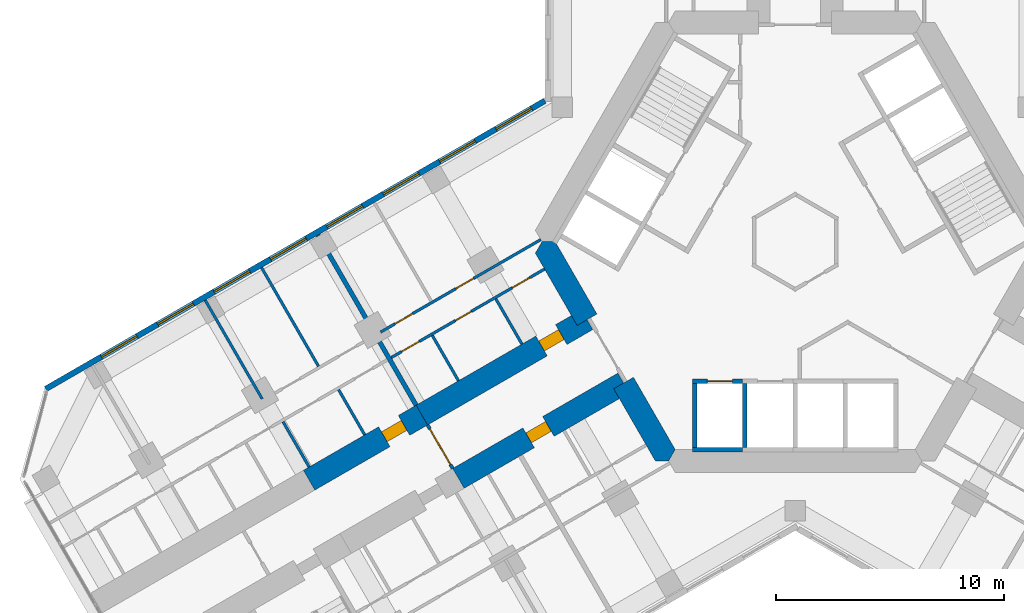
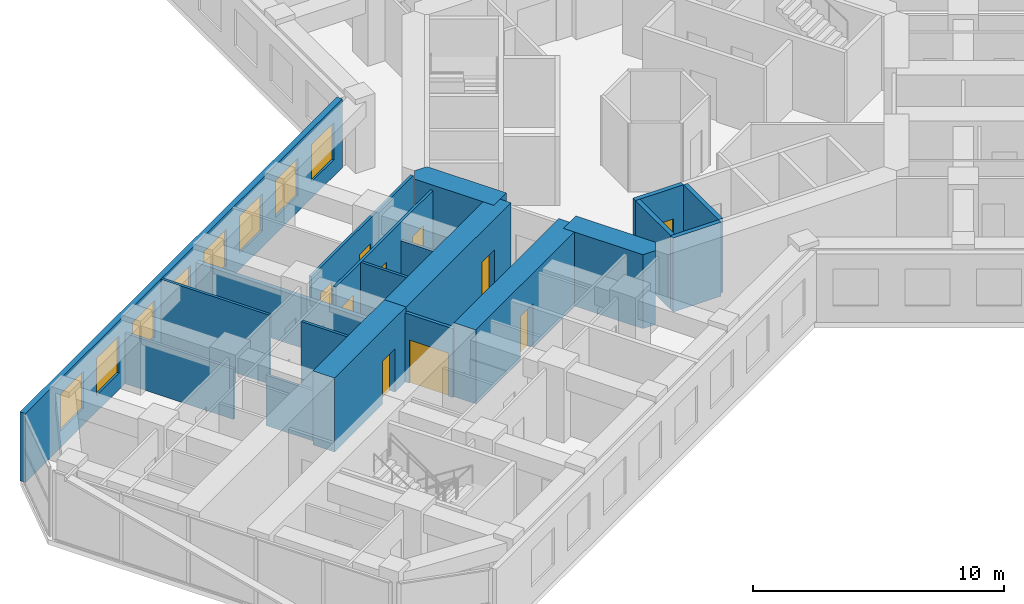
# One storey, part 12 of 21: 20 walls, 10 doors, 8 windows, 18 openings.
"""IFC4 building model written with IfcOpenShell, lengths in metres."""

from ifc_helpers import new_model, si_unit, direction, frame, frame_2d, origin, place, context, subcontext, project, spatial, polyline, rectangle, outline, extrude, material, layer, layer_set, type_object, element, fill, save


model = new_model("IFC4")

# Units and contexts
model_context = context("Model", 3, precision=1e-05, world=origin(), true_north=direction((0.0, 1.0)))
body_context = subcontext(model_context, "Body", "Model", "MODEL_VIEW")
ifc_project = project(units=[si_unit("LENGTHUNIT", "METRE"), si_unit("AREAUNIT", "SQUARE_METRE"), si_unit("VOLUMEUNIT", "CUBIC_METRE"), si_unit("PLANEANGLEUNIT", "RADIAN"), si_unit("MASSUNIT", "GRAM", prefix="KILO")], contexts=[model_context])

# Site, building, storey
site_placement = place(None, origin())
site = spatial("IfcSite", under=ifc_project, at=site_placement, CompositionType="ELEMENT")
building_placement = place(site_placement, origin())
building = spatial("IfcBuilding", under=site, at=building_placement, Name="Kosmar Iwan School Tower", CompositionType="ELEMENT")
storey_placement = place(building_placement, frame((0.0, 0.0, 80.800048828125)))
storey = spatial("IfcBuildingStorey", under=building, at=storey_placement, Name="L19", CompositionType="ELEMENT", Elevation=80.800048828125)

# Walls
ifc_material_1 = material(Name="Concrete C50/60", Category="concrete")
ifc_layer_1 = layer(ifc_material_1, 1.0)
ifc_layer_set_1 = layer_set([ifc_layer_1], Name="Core wall 1000")
wall_type_1 = type_object("IfcWallType", Name="Core wall 1000", PredefinedType="SHEAR", material=ifc_layer_set_1)
wall_1_placement = place(storey_placement, origin())
element("IfcWall", 1, at=wall_1_placement, inside=storey, type_object=wall_type_1, Name="Core wall F210a", PredefinedType="SHEAR", context=body_context, shape_type="SweptSolid", body=[
    extrude(outline(polyline([(-9.546875, -3.664306640625), (-8.680908203125, -3.164306640625), (-10.5078125, 0.0), (-11.085205078125, 0.0), (-11.373779296875, -0.5), (-9.546875, -3.664306640625)])), origin(), (0.0, 0.0, 1.0), 3.599853515625),
])
wall_2_placement = place(storey_placement, origin())
element("IfcWall", 2, at=wall_2_placement, inside=storey, type_object=wall_type_1, Name="Core wall F210b", PredefinedType="SHEAR", context=body_context, shape_type="SweptSolid", body=[
    extrude(outline(polyline([(-6.119873046875, -9.60009765625), (-5.54248046875, -9.60009765625), (-5.25390625, -9.10009765625), (-7.080810546875, -5.935546875), (-7.94677734375, -6.435546875), (-6.119873046875, -9.60009765625)])), origin(), (0.0, 0.0, 1.0), 3.599853515625),
])

# Wall, opening, door
ifc_material_2 = material(Name="Concrete C50/60", Category="concrete")
ifc_layer_2 = layer(ifc_material_2, 1.0)
ifc_layer_set_2 = layer_set([ifc_layer_2], Name="Corridor buttress wall 1000")
wall_type_2 = type_object("IfcWallType", Name="Corridor buttress wall 1000", PredefinedType="SHEAR", material=ifc_layer_set_2)
wall_3_placement = place(storey_placement, frame((-7.513916015625, -6.185546875, 0.0), z_axis=(0.0, 0.0, 1.0), x_axis=(-0.866019549707, -0.500010139422, 0.0)))
wall_3 = element("IfcWall", 3, at=wall_3_placement, inside=storey, type_object=wall_type_2, Name="Corridor wall BL", PredefinedType="SHEAR", context=body_context, shape_type="SweptSolid", body=[
    extrude(rectangle(XDim=8.349853515625, YDim=1.0, at=frame_2d((4.1748046875, 0.0))), origin(), (0.0, 0.0, 1.0), 3.599853515625),
])
opening_1_placement = place(wall_3_placement, frame((3.800048828125, 0.0, 0.0)))
opening_1 = element("IfcOpeningElement", 4, at=opening_1_placement, cuts=wall_3, Name="Opening D1", PredefinedType="OPENING", context=body_context, shape_type="SweptSolid", body=[
    extrude(rectangle(XDim=1.0, YDim=2.10009765625, at=frame_2d((0.5, 1.050048828125))), frame((0.0, 0.511962890625, 0.0), z_axis=(0.0, -1.0, 0.0), x_axis=(1.0, 0.0, 0.0)), (0.0, 0.0, 1.0), 1.02392578125),
])
ifc_material_3 = material(Name="Timber fire door in steel frame", Category="steel")
door_type_1 = type_object("IfcDoorType", Name="Flat entrance door 1000x2100", OperationType="SINGLE_SWING_LEFT", PredefinedType="DOOR", material=ifc_material_3)
door_1_placement = place(opening_1_placement, origin())
door_1 = element("IfcDoor", 5, at=door_1_placement, inside=storey, type_object=door_type_1, Name="Flat L19-BL1 entrance door", OperationType="SINGLE_SWING_LEFT", OverallHeight=2.10009765625, OverallWidth=1.0, PredefinedType="DOOR", context=body_context, shape_type="SweptSolid", body=[
    extrude(rectangle(XDim=1.0, YDim=2.10009765625, at=frame_2d((0.5, 1.050048828125))), frame((0.0, 0.25, 0.0), z_axis=(0.0, -1.0, 0.0), x_axis=(1.0, 0.0, 0.0)), (0.0, 0.0, 1.0), 0.5),
])
fill(opening_1, door_1)

wall_4_placement = place(storey_placement, frame((-9.11376953125, -3.414306640625, 0.0), z_axis=(0.0, 0.0, 1.0), x_axis=(-0.866026859388, -0.499997478812, 0.0)))
wall_4 = element("IfcWall", 6, at=wall_4_placement, inside=storey, type_object=wall_type_2, Name="Corridor wall BR", PredefinedType="SHEAR", context=body_context, shape_type="SweptSolid", body=[
    extrude(rectangle(XDim=8.35009765625, YDim=1.0, at=frame_2d((4.175048828125, 0.0))), origin(), (0.0, 0.0, 1.0), 3.599853515625),
])
opening_2_placement = place(wall_4_placement, frame((1.300048828125, 0.0, 0.0)))
opening_2 = element("IfcOpeningElement", 7, at=opening_2_placement, cuts=wall_4, Name="Opening D1", PredefinedType="OPENING", context=body_context, shape_type="SweptSolid", body=[
    extrude(rectangle(XDim=1.0, YDim=2.10009765625, at=frame_2d((0.5, 1.050048828125))), frame((0.0, 0.511962890625, 0.0), z_axis=(0.0, -1.0, 0.0), x_axis=(1.0, 0.0, 0.0)), (0.0, 0.0, 1.0), 1.02392578125),
])
door_2_placement = place(opening_2_placement, origin())
door_2 = element("IfcDoor", 8, at=door_2_placement, inside=storey, type_object=door_type_1, Name="Flat L19-BR1 entrance door", OperationType="SINGLE_SWING_LEFT", OverallHeight=2.10009765625, OverallWidth=1.0, PredefinedType="DOOR", context=body_context, shape_type="SweptSolid", body=[
    extrude(rectangle(XDim=1.0, YDim=2.10009765625, at=frame_2d((0.5, 1.050048828125))), frame((0.0, 0.25, 0.0), z_axis=(0.0, -1.0, 0.0), x_axis=(1.0, 0.0, 0.0)), (0.0, 0.0, 1.0), 0.5),
])
fill(opening_2, door_2)

wall_5_placement = place(storey_placement, frame((-16.34521484375, -7.58935546875, 0.0), z_axis=(0.0, 0.0, 1.0), x_axis=(-0.866015111908, -0.50001782563, 0.0)))
wall_5 = element("IfcWall", 9, at=wall_5_placement, inside=storey, type_object=wall_type_2, Name="Corridor wall BR bay 2", PredefinedType="SHEAR", context=body_context, shape_type="SweptSolid", body=[
    extrude(rectangle(XDim=5.699951171875, YDim=1.0, at=frame_2d((2.85009765625, 0.0))), origin(), (0.0, 0.0, 1.0), 3.599853515625),
])
opening_3_placement = place(wall_5_placement, frame((0.89990234375, 0.0, 0.0)))
opening_3 = element("IfcOpeningElement", 10, at=opening_3_placement, cuts=wall_5, Name="Opening D1", PredefinedType="OPENING", context=body_context, shape_type="SweptSolid", body=[
    extrude(rectangle(XDim=1.0, YDim=2.10009765625, at=frame_2d((0.5, 1.050048828125))), frame((0.0, 0.511962890625, 0.0), z_axis=(0.0, -1.0, 0.0), x_axis=(1.0, 0.0, 0.0)), (0.0, 0.0, 1.0), 1.02392578125),
])
door_3_placement = place(opening_3_placement, origin())
door_3 = element("IfcDoor", 11, at=door_3_placement, inside=storey, type_object=door_type_1, Name="Flat L19-BR2 entrance door", OperationType="SINGLE_SWING_LEFT", OverallHeight=2.10009765625, OverallWidth=1.0, PredefinedType="DOOR", context=body_context, shape_type="SweptSolid", body=[
    extrude(rectangle(XDim=1.0, YDim=2.10009765625, at=frame_2d((0.5, 1.050048828125))), frame((0.0, 0.25, 0.0), z_axis=(0.0, -1.0, 0.0), x_axis=(1.0, 0.0, 0.0)), (0.0, 0.0, 1.0), 0.5),
])
fill(opening_3, door_3)

ifc_material_4 = material(Name="Gypsum board on steel studs, fire-rated", Category="steel")
ifc_layer_3 = layer(ifc_material_4, 0.14990234375)
ifc_layer_set_3 = layer_set([ifc_layer_3], Name="Corridor end wall 150")
wall_type_3 = type_object("IfcWallType", Name="Corridor end wall 150", PredefinedType="PARTITIONING", material=ifc_layer_set_3)
wall_6_placement = place(storey_placement, frame((-16.09521484375, -8.0224609375, 0.0), z_axis=(0.0, 0.0, 1.0), x_axis=(0.50002983664, -0.866008176907, 0.0)))
wall_6 = element("IfcWall", 12, at=wall_6_placement, inside=storey, type_object=wall_type_3, Name="Partition L19-B-HW", PredefinedType="PARTITIONING", context=body_context, shape_type="SweptSolid", body=[
    extrude(rectangle(XDim=2.199951171875, YDim=0.14990234375, at=frame_2d((1.10009765625, 0.0))), origin(), (0.0, 0.0, 1.0), 3.349853515625),
])
opening_4_placement = place(wall_6_placement, frame((0.199951171875, 0.0, 0.0)))
opening_4 = element("IfcOpeningElement", 13, at=opening_4_placement, cuts=wall_6, Name="Opening D9", PredefinedType="OPENING", context=body_context, shape_type="SweptSolid", body=[
    extrude(rectangle(XDim=1.800048828125, YDim=2.10009765625, at=frame_2d((0.89990234375, 1.050048828125))), frame((0.0, 0.0869140625, 0.0), z_axis=(0.0, -1.0, 0.0), x_axis=(1.0, 0.0, 0.0)), (0.0, 0.0, 1.0), 0.173828125),
])
ifc_material_5 = material(Name="Steel framed glazed smoke door", Category="steel")
door_type_2 = type_object("IfcDoorType", Name="Corridor smoke door pair 1800x2100", OperationType="DOUBLE_DOOR_DOUBLE_SWING", PredefinedType="DOOR", material=ifc_material_5)
door_4_placement = place(opening_4_placement, origin())
door_4 = element("IfcDoor", 14, at=door_4_placement, inside=storey, type_object=door_type_2, Name="Entrance vestibule smoke doors L19-B", OperationType="DOUBLE_DOOR_DOUBLE_SWING", OverallHeight=2.10009765625, OverallWidth=1.800048828125, PredefinedType="DOOR", context=body_context, shape_type="SweptSolid", body=[
    extrude(rectangle(XDim=1.800048828125, YDim=2.10009765625, at=frame_2d((0.89990234375, 1.050048828125))), frame((0.0, 0.02490234375, 0.0), z_axis=(0.0, -1.0, 0.0), x_axis=(1.0, 0.0, 0.0)), (0.0, 0.0, 1.0), 0.050048828125),
])
fill(opening_4, door_4)

# Wall, openings, doors
ifc_material_6 = material(Name="Gypsum board on steel studs", Category="steel")
ifc_layer_4 = layer(ifc_material_6, 0.1201171875)
ifc_layer_set_4 = layer_set([ifc_layer_4], Name="Dwelling partition 120")
wall_type_4 = type_object("IfcWallType", Name="Dwelling partition 120", PredefinedType="PARTITIONING", material=ifc_layer_set_4)
wall_7_placement = place(storey_placement, frame((-10.971923828125, -1.1962890625, 0.0), z_axis=(0.0, 0.0, 1.0), x_axis=(-0.866024534185, -0.500001506187, 0.0)))
wall_7 = element("IfcWall", 15, at=wall_7_placement, inside=storey, type_object=wall_type_4, Name="Partition L19-BR1-W1", PredefinedType="PARTITIONING", context=body_context, shape_type="SweptSolid", body=[
    extrude(rectangle(XDim=7.75, YDim=0.1201171875, at=frame_2d((3.875, 0.0))), origin(), (0.0, 0.0, 1.0), 3.349853515625),
])
opening_5_placement = place(wall_7_placement, frame((0.75, 0.0, 0.0)))
opening_5 = element("IfcOpeningElement", 16, at=opening_5_placement, cuts=wall_7, Name="Opening D2", PredefinedType="OPENING", context=body_context, shape_type="SweptSolid", body=[
    extrude(rectangle(XDim=0.89990234375, YDim=2.10009765625, at=frame_2d((0.449951171875, 1.050048828125))), frame((0.0, 0.072021484375, 0.0), z_axis=(0.0, -1.0, 0.0), x_axis=(1.0, 0.0, 0.0)), (0.0, 0.0, 1.0), 0.14404296875),
])
opening_6_placement = place(wall_7_placement, frame((3.705078125, 0.0, 0.0)))
opening_6 = element("IfcOpeningElement", 17, at=opening_6_placement, cuts=wall_7, Name="Opening D3", PredefinedType="OPENING", context=body_context, shape_type="SweptSolid", body=[
    extrude(rectangle(XDim=0.800048828125, YDim=2.10009765625, at=frame_2d((0.39990234375, 1.050048828125))), frame((0.0, 0.072021484375, 0.0), z_axis=(0.0, -1.0, 0.0), x_axis=(1.0, 0.0, 0.0)), (0.0, 0.0, 1.0), 0.14404296875),
])
opening_7_placement = place(wall_7_placement, frame((6.330078125, 0.0, 0.0)))
opening_7 = element("IfcOpeningElement", 18, at=opening_7_placement, cuts=wall_7, Name="Opening D2", PredefinedType="OPENING", context=body_context, shape_type="SweptSolid", body=[
    extrude(rectangle(XDim=0.89990234375, YDim=2.10009765625, at=frame_2d((0.449951171875, 1.050048828125))), frame((0.0, 0.072021484375, 0.0), z_axis=(0.0, -1.0, 0.0), x_axis=(1.0, 0.0, 0.0)), (0.0, 0.0, 1.0), 0.14404296875),
])
ifc_material_7 = material(Name="Timber door in timber frame", Category="wood")
door_type_3 = type_object("IfcDoorType", Name="Internal door 900x2100", OperationType="SINGLE_SWING_LEFT", PredefinedType="DOOR", material=ifc_material_7)
door_5_placement = place(opening_5_placement, origin())
door_5 = element("IfcDoor", 19, at=door_5_placement, inside=storey, type_object=door_type_3, Name="Entrance hall door L19-BR1-S1", OperationType="SINGLE_SWING_RIGHT", OverallHeight=2.10009765625, OverallWidth=0.89990234375, PredefinedType="DOOR", context=body_context, shape_type="SweptSolid", body=[
    extrude(rectangle(XDim=0.89990234375, YDim=2.10009765625, at=frame_2d((0.449951171875, 1.050048828125))), frame((0.0, 0.02490234375, 0.0), z_axis=(0.0, -1.0, 0.0), x_axis=(1.0, 0.0, 0.0)), (0.0, 0.0, 1.0), 0.050048828125),
])
fill(opening_5, door_5)
door_6_placement = place(opening_7_placement, origin())
door_6 = element("IfcDoor", 20, at=door_6_placement, inside=storey, type_object=door_type_3, Name="Pantry door L19-BR1-S3", OperationType="SINGLE_SWING_RIGHT", OverallHeight=2.10009765625, OverallWidth=0.89990234375, PredefinedType="DOOR", context=body_context, shape_type="SweptSolid", body=[
    extrude(rectangle(XDim=0.89990234375, YDim=2.10009765625, at=frame_2d((0.449951171875, 1.050048828125))), frame((0.0, 0.02490234375, 0.0), z_axis=(0.0, -1.0, 0.0), x_axis=(1.0, 0.0, 0.0)), (0.0, 0.0, 1.0), 0.050048828125),
])
fill(opening_7, door_6)
ifc_material_8 = material(Name="Timber door in timber frame", Category="wood")
door_type_4 = type_object("IfcDoorType", Name="Sanitary room door 800x2100", OperationType="SINGLE_SWING_LEFT", PredefinedType="DOOR", material=ifc_material_8)
door_7_placement = place(opening_6_placement, origin())
door_7 = element("IfcDoor", 21, at=door_7_placement, inside=storey, type_object=door_type_4, Name="Bathroom door L19-BR1-S2", OperationType="SINGLE_SWING_LEFT", OverallHeight=2.10009765625, OverallWidth=0.800048828125, PredefinedType="DOOR", context=body_context, shape_type="SweptSolid", body=[
    extrude(rectangle(XDim=0.800048828125, YDim=2.10009765625, at=frame_2d((0.39990234375, 1.050048828125))), frame((0.0, 0.02490234375, 0.0), z_axis=(0.0, -1.0, 0.0), x_axis=(1.0, 0.0, 0.0)), (0.0, 0.0, 1.0), 0.050048828125),
])
fill(opening_6, door_7)

wall_8_placement = place(storey_placement, frame((-11.138916015625, 0.093017578125, 0.0), z_axis=(0.0, 0.0, 1.0), x_axis=(-0.866017937352, -0.500012932018, 0.0)))
wall_8 = element("IfcWall", 22, at=wall_8_placement, inside=storey, type_object=wall_type_4, Name="Partition L19-BR1-W2", PredefinedType="PARTITIONING", context=body_context, shape_type="SweptSolid", body=[
    extrude(rectangle(XDim=8.099853515625, YDim=0.1201171875, at=frame_2d((4.0498046875, 0.0))), origin(), (0.0, 0.0, 1.0), 3.349853515625),
])
opening_8_placement = place(wall_8_placement, frame((3.39990234375, 0.0, 0.0)))
opening_8 = element("IfcOpeningElement", 23, at=opening_8_placement, cuts=wall_8, Name="Opening D2", PredefinedType="OPENING", context=body_context, shape_type="SweptSolid", body=[
    extrude(rectangle(XDim=0.89990234375, YDim=2.10009765625, at=frame_2d((0.449951171875, 1.050048828125))), frame((0.0, 0.072021484375, 0.0), z_axis=(0.0, -1.0, 0.0), x_axis=(1.0, 0.0, 0.0)), (0.0, 0.0, 1.0), 0.14404296875),
])
opening_9_placement = place(wall_8_placement, frame((6.47509765625, 0.0, 0.0)))
opening_9 = element("IfcOpeningElement", 24, at=opening_9_placement, cuts=wall_8, Name="Opening D2", PredefinedType="OPENING", context=body_context, shape_type="SweptSolid", body=[
    extrude(rectangle(XDim=0.89990234375, YDim=2.10009765625, at=frame_2d((0.449951171875, 1.050048828125))), frame((0.0, 0.072021484375, 0.0), z_axis=(0.0, -1.0, 0.0), x_axis=(1.0, 0.0, 0.0)), (0.0, 0.0, 1.0), 0.14404296875),
])
door_8_placement = place(opening_8_placement, origin())
door_8 = element("IfcDoor", 25, at=door_8_placement, inside=storey, type_object=door_type_3, Name="Living room and kitchen door L19-BR1-F1", OperationType="SINGLE_SWING_LEFT", OverallHeight=2.10009765625, OverallWidth=0.89990234375, PredefinedType="DOOR", context=body_context, shape_type="SweptSolid", body=[
    extrude(rectangle(XDim=0.89990234375, YDim=2.10009765625, at=frame_2d((0.449951171875, 1.050048828125))), frame((0.0, 0.02490234375, 0.0), z_axis=(0.0, -1.0, 0.0), x_axis=(1.0, 0.0, 0.0)), (0.0, 0.0, 1.0), 0.050048828125),
])
fill(opening_8, door_8)
door_9_placement = place(opening_9_placement, origin())
door_9 = element("IfcDoor", 26, at=door_9_placement, inside=storey, type_object=door_type_3, Name="Bedroom 1 door L19-BR1-F2", OperationType="SINGLE_SWING_RIGHT", OverallHeight=2.10009765625, OverallWidth=0.89990234375, PredefinedType="DOOR", context=body_context, shape_type="SweptSolid", body=[
    extrude(rectangle(XDim=0.89990234375, YDim=2.10009765625, at=frame_2d((0.449951171875, 1.050048828125))), frame((0.0, 0.02490234375, 0.0), z_axis=(0.0, -1.0, 0.0), x_axis=(1.0, 0.0, 0.0)), (0.0, 0.0, 1.0), 0.050048828125),
])
fill(opening_9, door_9)

# Walls
wall_9_placement = place(storey_placement, frame((-11.9619140625, -4.4814453125, 0.0), z_axis=(0.0, 0.0, 1.0), x_axis=(-0.499968531483, 0.866043571379, 0.0)))
element("IfcWall", 27, at=wall_9_placement, inside=storey, type_object=wall_type_4, Name="Partition L19-BR1-Y1", PredefinedType="PARTITIONING", context=body_context, shape_type="SweptSolid", body=[
    extrude(rectangle(XDim=2.290283203125, YDim=0.1201171875, at=frame_2d((1.14501953125, 0.0))), origin(), (0.0, 0.0, 1.0), 2.449951171875),
])
wall_10_placement = place(storey_placement, frame((-14.741943359375, -6.08642578125, 0.0), z_axis=(0.0, 0.0, 1.0), x_axis=(-0.499968531483, 0.866043571379, 0.0)))
element("IfcWall", 28, at=wall_10_placement, inside=storey, type_object=wall_type_4, Name="Partition L19-BR1-Y2", PredefinedType="PARTITIONING", context=body_context, shape_type="SweptSolid", body=[
    extrude(rectangle(XDim=2.290283203125, YDim=0.1201171875, at=frame_2d((1.14501953125, 0.0))), origin(), (0.0, 0.0, 1.0), 3.349853515625),
])
wall_11_placement = place(storey_placement, frame((-20.868408203125, -5.455078125, 0.0), z_axis=(0.0, 0.0, 1.0), x_axis=(-0.499975153383, 0.86603974851, 0.0)))
element("IfcWall", 29, at=wall_11_placement, inside=storey, type_object=wall_type_4, Name="Partition L19-BR2-X1", PredefinedType="PARTITIONING", context=body_context, shape_type="SweptSolid", body=[
    extrude(rectangle(XDim=4.989990234375, YDim=0.1201171875, at=frame_2d((2.4951171875, 0.0))), origin(), (0.0, 0.0, 1.0), 3.349853515625),
])
wall_12_placement = place(storey_placement, frame((-23.33642578125, -6.8798828125, 0.0), z_axis=(0.0, 0.0, 1.0), x_axis=(-0.500033033937, 0.866006330792, 0.0)))
element("IfcWall", 30, at=wall_12_placement, inside=storey, type_object=wall_type_4, Name="Partition L19-BR2-X2", PredefinedType="PARTITIONING", context=body_context, shape_type="SweptSolid", body=[
    extrude(rectangle(XDim=4.989990234375, YDim=0.1201171875, at=frame_2d((2.4951171875, 0.0))), origin(), (0.0, 0.0, 1.0), 2.449951171875),
])
wall_13_placement = place(storey_placement, frame((-18.846923828125, -8.456298828125, 0.0), z_axis=(0.0, 0.0, 1.0), x_axis=(-0.500014693593, 0.866016920268, 0.0)))
element("IfcWall", 31, at=wall_13_placement, inside=storey, type_object=wall_type_4, Name="Partition L19-BR2-Y1", PredefinedType="PARTITIONING", context=body_context, shape_type="SweptSolid", body=[
    extrude(rectangle(XDim=2.2900390625, YDim=0.1201171875, at=frame_2d((1.14501953125, 0.0))), origin(), (0.0, 0.0, 1.0), 3.349853515625),
])
wall_14_placement = place(storey_placement, frame((-21.2802734375, -9.861328125, 0.0), z_axis=(0.0, 0.0, 1.0), x_axis=(-0.500014693593, 0.866016920268, 0.0)))
element("IfcWall", 32, at=wall_14_placement, inside=storey, type_object=wall_type_4, Name="Partition L19-BR2-Y2", PredefinedType="PARTITIONING", context=body_context, shape_type="SweptSolid", body=[
    extrude(rectangle(XDim=2.2900390625, YDim=0.1201171875, at=frame_2d((1.14501953125, 0.0))), origin(), (0.0, 0.0, 1.0), 2.449951171875),
])

# Wall, openings, windows
ifc_material_9 = material(Name="Black aluminium rainscreen on insulated framing", Category="aluminium")
ifc_layer_5 = layer(ifc_material_9, 0.25)
ifc_layer_set_5 = layer_set([ifc_layer_5], Name="External wall rainscreen 250")
wall_type_5 = type_object("IfcWallType", Name="External wall rainscreen 250", PredefinedType="SOLIDWALL", material=ifc_layer_set_5)
wall_15_placement = place(storey_placement, frame((-10.962890625, 6.170166015625, 0.0), z_axis=(0.0, 0.0, 1.0), x_axis=(-0.86602796634, -0.499995561497, 0.0)))
wall_15 = element("IfcWall", 33, at=wall_15_placement, inside=storey, type_object=wall_type_5, Name="External wall BR L19", PredefinedType="SOLIDWALL", context=body_context, shape_type="SweptSolid", body=[
    extrude(rectangle(XDim=25.226318359375, YDim=0.25, at=frame_2d((12.61328125, 0.0))), origin(), (0.0, 0.0, 1.0), 3.349853515625),
])
opening_10_placement = place(wall_15_placement, frame((0.666015625, 0.0, 0.800048828125)))
opening_10 = element("IfcOpeningElement", 34, at=opening_10_placement, cuts=wall_15, Name="Opening W1", PredefinedType="OPENING", context=body_context, shape_type="SweptSolid", body=[
    extrude(rectangle(XDim=1.800048828125, YDim=1.800048828125, at=frame_2d((0.89990234375, 0.89990234375))), frame((0.0, 0.136962890625, 0.0), z_axis=(0.0, -1.0, 0.0), x_axis=(1.0, 0.0, 0.0)), (0.0, 0.0, 1.0), 0.27392578125),
])
opening_11_placement = place(wall_15_placement, frame((3.51611328125, 0.0, 0.800048828125)))
opening_11 = element("IfcOpeningElement", 35, at=opening_11_placement, cuts=wall_15, Name="Opening W1", PredefinedType="OPENING", context=body_context, shape_type="SweptSolid", body=[
    extrude(rectangle(XDim=1.800048828125, YDim=1.800048828125, at=frame_2d((0.89990234375, 0.89990234375))), frame((0.0, 0.136962890625, 0.0), z_axis=(0.0, -1.0, 0.0), x_axis=(1.0, 0.0, 0.0)), (0.0, 0.0, 1.0), 0.27392578125),
])
opening_12_placement = place(wall_15_placement, frame((6.365966796875, 0.0, 0.800048828125)))
opening_12 = element("IfcOpeningElement", 36, at=opening_12_placement, cuts=wall_15, Name="Opening W1", PredefinedType="OPENING", context=body_context, shape_type="SweptSolid", body=[
    extrude(rectangle(XDim=1.800048828125, YDim=1.800048828125, at=frame_2d((0.89990234375, 0.89990234375))), frame((0.0, 0.136962890625, 0.0), z_axis=(0.0, -1.0, 0.0), x_axis=(1.0, 0.0, 0.0)), (0.0, 0.0, 1.0), 0.27392578125),
])
opening_13_placement = place(wall_15_placement, frame((9.216064453125, 0.0, 0.800048828125)))
opening_13 = element("IfcOpeningElement", 37, at=opening_13_placement, cuts=wall_15, Name="Opening W1", PredefinedType="OPENING", context=body_context, shape_type="SweptSolid", body=[
    extrude(rectangle(XDim=1.800048828125, YDim=1.800048828125, at=frame_2d((0.89990234375, 0.89990234375))), frame((0.0, 0.136962890625, 0.0), z_axis=(0.0, -1.0, 0.0), x_axis=(1.0, 0.0, 0.0)), (0.0, 0.0, 1.0), 0.27392578125),
])
opening_14_placement = place(wall_15_placement, frame((12.06591796875, 0.0, 0.800048828125)))
opening_14 = element("IfcOpeningElement", 38, at=opening_14_placement, cuts=wall_15, Name="Opening W1", PredefinedType="OPENING", context=body_context, shape_type="SweptSolid", body=[
    extrude(rectangle(XDim=1.800048828125, YDim=1.800048828125, at=frame_2d((0.89990234375, 0.89990234375))), frame((0.0, 0.136962890625, 0.0), z_axis=(0.0, -1.0, 0.0), x_axis=(1.0, 0.0, 0.0)), (0.0, 0.0, 1.0), 0.27392578125),
])
opening_15_placement = place(wall_15_placement, frame((14.916015625, 0.0, 0.800048828125)))
opening_15 = element("IfcOpeningElement", 39, at=opening_15_placement, cuts=wall_15, Name="Opening W1", PredefinedType="OPENING", context=body_context, shape_type="SweptSolid", body=[
    extrude(rectangle(XDim=1.800048828125, YDim=1.800048828125, at=frame_2d((0.89990234375, 0.89990234375))), frame((0.0, 0.136962890625, 0.0), z_axis=(0.0, -1.0, 0.0), x_axis=(1.0, 0.0, 0.0)), (0.0, 0.0, 1.0), 0.27392578125),
])
opening_16_placement = place(wall_15_placement, frame((17.76611328125, 0.0, 0.800048828125)))
opening_16 = element("IfcOpeningElement", 40, at=opening_16_placement, cuts=wall_15, Name="Opening W1", PredefinedType="OPENING", context=body_context, shape_type="SweptSolid", body=[
    extrude(rectangle(XDim=1.800048828125, YDim=1.800048828125, at=frame_2d((0.89990234375, 0.89990234375))), frame((0.0, 0.136962890625, 0.0), z_axis=(0.0, -1.0, 0.0), x_axis=(1.0, 0.0, 0.0)), (0.0, 0.0, 1.0), 0.27392578125),
])
opening_17_placement = place(wall_15_placement, frame((20.615966796875, 0.0, 0.800048828125)))
opening_17 = element("IfcOpeningElement", 41, at=opening_17_placement, cuts=wall_15, Name="Opening W1", PredefinedType="OPENING", context=body_context, shape_type="SweptSolid", body=[
    extrude(rectangle(XDim=1.800048828125, YDim=1.800048828125, at=frame_2d((0.89990234375, 0.89990234375))), frame((0.0, 0.136962890625, 0.0), z_axis=(0.0, -1.0, 0.0), x_axis=(1.0, 0.0, 0.0)), (0.0, 0.0, 1.0), 0.27392578125),
])
ifc_material_10 = material(Name="Black aluminium frame with dark triple glazing", Category="aluminium")
window_type = type_object("IfcWindowType", Name="Window 1800x1800", PartitioningType="SINGLE_PANEL", PredefinedType="WINDOW", material=ifc_material_10)
window_1_placement = place(opening_10_placement, origin())
window_1 = element("IfcWindow", 42, at=window_1_placement, inside=storey, type_object=window_type, Name="Window BR L19 -1", OverallHeight=1.800048828125, OverallWidth=1.800048828125, PartitioningType="SINGLE_PANEL", PredefinedType="WINDOW", context=body_context, shape_type="SweptSolid", body=[
    extrude(rectangle(XDim=1.800048828125, YDim=1.800048828125, at=frame_2d((0.89990234375, 0.89990234375))), frame((0.0, 0.030029296875, 0.0), z_axis=(0.0, -1.0, 0.0), x_axis=(1.0, 0.0, 0.0)), (0.0, 0.0, 1.0), 0.06005859375),
])
fill(opening_10, window_1)
window_2_placement = place(opening_11_placement, origin())
window_2 = element("IfcWindow", 43, at=window_2_placement, inside=storey, type_object=window_type, Name="Window BR L19 0", OverallHeight=1.800048828125, OverallWidth=1.800048828125, PartitioningType="SINGLE_PANEL", PredefinedType="WINDOW", context=body_context, shape_type="SweptSolid", body=[
    extrude(rectangle(XDim=1.800048828125, YDim=1.800048828125, at=frame_2d((0.89990234375, 0.89990234375))), frame((0.0, 0.030029296875, 0.0), z_axis=(0.0, -1.0, 0.0), x_axis=(1.0, 0.0, 0.0)), (0.0, 0.0, 1.0), 0.06005859375),
])
fill(opening_11, window_2)
window_3_placement = place(opening_12_placement, origin())
window_3 = element("IfcWindow", 44, at=window_3_placement, inside=storey, type_object=window_type, Name="Window BR L19 1", OverallHeight=1.800048828125, OverallWidth=1.800048828125, PartitioningType="SINGLE_PANEL", PredefinedType="WINDOW", context=body_context, shape_type="SweptSolid", body=[
    extrude(rectangle(XDim=1.800048828125, YDim=1.800048828125, at=frame_2d((0.89990234375, 0.89990234375))), frame((0.0, 0.030029296875, 0.0), z_axis=(0.0, -1.0, 0.0), x_axis=(1.0, 0.0, 0.0)), (0.0, 0.0, 1.0), 0.06005859375),
])
fill(opening_12, window_3)
window_4_placement = place(opening_13_placement, origin())
window_4 = element("IfcWindow", 45, at=window_4_placement, inside=storey, type_object=window_type, Name="Window BR L19 2", OverallHeight=1.800048828125, OverallWidth=1.800048828125, PartitioningType="SINGLE_PANEL", PredefinedType="WINDOW", context=body_context, shape_type="SweptSolid", body=[
    extrude(rectangle(XDim=1.800048828125, YDim=1.800048828125, at=frame_2d((0.89990234375, 0.89990234375))), frame((0.0, 0.030029296875, 0.0), z_axis=(0.0, -1.0, 0.0), x_axis=(1.0, 0.0, 0.0)), (0.0, 0.0, 1.0), 0.06005859375),
])
fill(opening_13, window_4)
window_5_placement = place(opening_14_placement, origin())
window_5 = element("IfcWindow", 46, at=window_5_placement, inside=storey, type_object=window_type, Name="Window BR L19 3", OverallHeight=1.800048828125, OverallWidth=1.800048828125, PartitioningType="SINGLE_PANEL", PredefinedType="WINDOW", context=body_context, shape_type="SweptSolid", body=[
    extrude(rectangle(XDim=1.800048828125, YDim=1.800048828125, at=frame_2d((0.89990234375, 0.89990234375))), frame((0.0, 0.030029296875, 0.0), z_axis=(0.0, -1.0, 0.0), x_axis=(1.0, 0.0, 0.0)), (0.0, 0.0, 1.0), 0.06005859375),
])
fill(opening_14, window_5)
window_6_placement = place(opening_15_placement, origin())
window_6 = element("IfcWindow", 47, at=window_6_placement, inside=storey, type_object=window_type, Name="Window BR L19 4", OverallHeight=1.800048828125, OverallWidth=1.800048828125, PartitioningType="SINGLE_PANEL", PredefinedType="WINDOW", context=body_context, shape_type="SweptSolid", body=[
    extrude(rectangle(XDim=1.800048828125, YDim=1.800048828125, at=frame_2d((0.89990234375, 0.89990234375))), frame((0.0, 0.030029296875, 0.0), z_axis=(0.0, -1.0, 0.0), x_axis=(1.0, 0.0, 0.0)), (0.0, 0.0, 1.0), 0.06005859375),
])
fill(opening_15, window_6)
window_7_placement = place(opening_16_placement, origin())
window_7 = element("IfcWindow", 48, at=window_7_placement, inside=storey, type_object=window_type, Name="Window BR L19 5", OverallHeight=1.800048828125, OverallWidth=1.800048828125, PartitioningType="SINGLE_PANEL", PredefinedType="WINDOW", context=body_context, shape_type="SweptSolid", body=[
    extrude(rectangle(XDim=1.800048828125, YDim=1.800048828125, at=frame_2d((0.89990234375, 0.89990234375))), frame((0.0, 0.030029296875, 0.0), z_axis=(0.0, -1.0, 0.0), x_axis=(1.0, 0.0, 0.0)), (0.0, 0.0, 1.0), 0.06005859375),
])
fill(opening_16, window_7)
window_8_placement = place(opening_17_placement, origin())
window_8 = element("IfcWindow", 49, at=window_8_placement, inside=storey, type_object=window_type, Name="Window BR L19 6", OverallHeight=1.800048828125, OverallWidth=1.800048828125, PartitioningType="SINGLE_PANEL", PredefinedType="WINDOW", context=body_context, shape_type="SweptSolid", body=[
    extrude(rectangle(XDim=1.800048828125, YDim=1.800048828125, at=frame_2d((0.89990234375, 0.89990234375))), frame((0.0, 0.030029296875, 0.0), z_axis=(0.0, -1.0, 0.0), x_axis=(1.0, 0.0, 0.0)), (0.0, 0.0, 1.0), 0.06005859375),
])
fill(opening_17, window_8)

# Wall, opening, door
ifc_material_11 = material(Name="Concrete C50/60", Category="concrete")
ifc_layer_6 = layer(ifc_material_11, 0.199951171875)
ifc_layer_set_6 = layer_set([ifc_layer_6], Name="Lift shaft wall 200")
wall_type_6 = type_object("IfcWallType", Name="Lift shaft wall 200", PredefinedType="SHEAR", material=ifc_layer_set_6)
wall_16_placement = place(storey_placement, frame((-4.5, -6.10009765625, 0.0), z_axis=(0.0, 0.0, 1.0), x_axis=(1.0, 0.0, 0.0)))
wall_16 = element("IfcWall", 50, at=wall_16_placement, inside=storey, type_object=wall_type_6, Name="Lift and stair front wall BC", PredefinedType="SHEAR", context=body_context, shape_type="SweptSolid", body=[
    extrude(rectangle(XDim=2.199951171875, YDim=0.199951171875, at=frame_2d((1.10009765625, 0.0))), origin(), (0.0, 0.0, 1.0), 3.599853515625),
])
opening_18_placement = place(wall_16_placement, frame((0.64990234375, 0.0, 0.0)))
opening_18 = element("IfcOpeningElement", 51, at=opening_18_placement, cuts=wall_16, Name="Opening LD1", PredefinedType="OPENING", context=body_context, shape_type="SweptSolid", body=[
    extrude(rectangle(XDim=1.10009765625, YDim=2.10009765625, at=frame_2d((0.550048828125, 1.050048828125))), frame((0.0, 0.112060546875, 0.0), z_axis=(0.0, -1.0, 0.0), x_axis=(1.0, 0.0, 0.0)), (0.0, 0.0, 1.0), 0.223876953125),
])
ifc_material_12 = material(Name="Stainless steel sliding lift door", Category="steel")
door_type_5 = type_object("IfcDoorType", Name="Lift landing door 1100x2100", OperationType="SLIDING_TO_LEFT", PredefinedType="DOOR", material=ifc_material_12)
door_10_placement = place(opening_18_placement, origin())
door_10 = element("IfcDoor", 52, at=door_10_placement, inside=storey, type_object=door_type_5, Name="Lift PL1 landing door L19", OperationType="SLIDING_TO_LEFT", OverallHeight=2.10009765625, OverallWidth=1.10009765625, PredefinedType="DOOR", context=body_context, shape_type="SweptSolid", body=[
    extrude(rectangle(XDim=1.10009765625, YDim=2.10009765625, at=frame_2d((0.550048828125, 1.050048828125))), frame((0.0, 0.02490234375, 0.0), z_axis=(0.0, -1.0, 0.0), x_axis=(1.0, 0.0, 0.0)), (0.0, 0.0, 1.0), 0.050048828125),
])
fill(opening_18, door_10)

# Walls
wall_17_placement = place(storey_placement, frame((-4.5, -9.10009765625, 0.0), z_axis=(0.0, 0.0, 1.0), x_axis=(1.0, 0.0, 0.0)))
element("IfcWall", 53, at=wall_17_placement, inside=storey, type_object=wall_type_6, Name="Lift and stair back wall BC", PredefinedType="SHEAR", context=body_context, shape_type="SweptSolid", body=[
    extrude(rectangle(XDim=2.199951171875, YDim=0.199951171875, at=frame_2d((1.10009765625, 0.0))), origin(), (0.0, 0.0, 1.0), 3.599853515625),
])
for number, where, z_axis, x_axis, name in (
    (54, (-4.39990234375, -6.199951171875, 0.0), (0.0, 0.0, 1.0), (0.0, -1.0, 0.0), "Lift shaft wall BC 0"),
    (55, (-2.199951171875, -6.199951171875, 0.0), (0.0, 0.0, 1.0), (0.0, -1.0, 0.0), "Lift shaft wall BC 1"),
):
    element("IfcWall", number, at=place(storey_placement, frame(where, z_axis=z_axis, x_axis=x_axis)), inside=storey, type_object=wall_type_6, Name=name, PredefinedType="SHEAR", context=body_context, shape_type="SweptSolid", body=[
        extrude(rectangle(XDim=2.800048828125, YDim=0.199951171875, at=frame_2d((1.39990234375, 0.0))), origin(), (0.0, 0.0, 1.0), 3.599853515625),
    ])
ifc_material_13 = material(Name="Concrete block masonry", Category="masonry")
ifc_layer_7 = layer(ifc_material_13, 0.199951171875)
ifc_layer_set_7 = layer_set([ifc_layer_7], Name="Party wall 200")
wall_type_7 = type_object("IfcWallType", Name="Party wall 200", PredefinedType="PARTITIONING", material=ifc_layer_set_7)
wall_18_placement = place(storey_placement, frame((-16.59521484375, -7.15625, 0.0), z_axis=(0.0, 0.0, 1.0), x_axis=(-0.500007509209, 0.866021068297, 0.0)))
element("IfcWall", 56, at=wall_18_placement, inside=storey, type_object=wall_type_7, Name="Partition L19-BR2-PW", PredefinedType="PARTITIONING", context=body_context, shape_type="SweptSolid", body=[
    extrude(rectangle(XDim=8.599853515625, YDim=0.199951171875, at=frame_2d((4.2998046875, 0.0))), origin(), (0.0, 0.0, 1.0), 2.449951171875),
])

save(model, "model.ifc")
